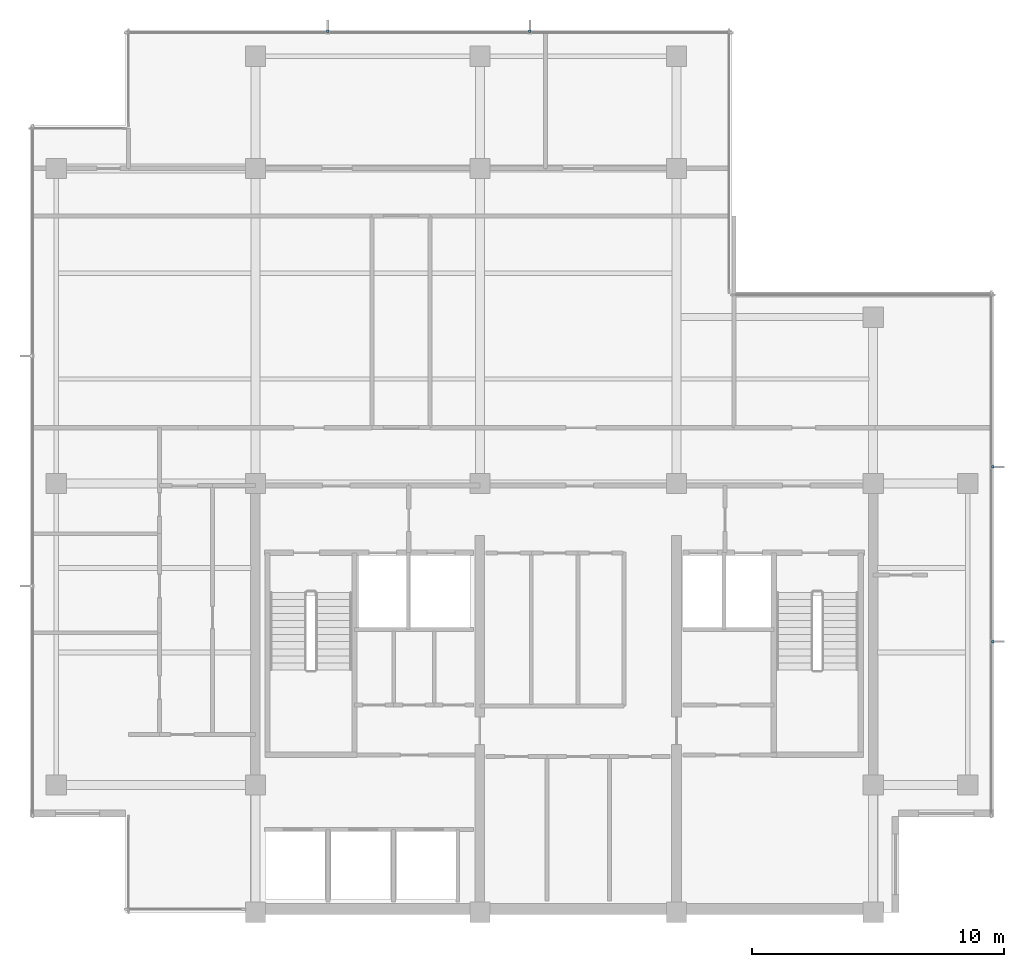
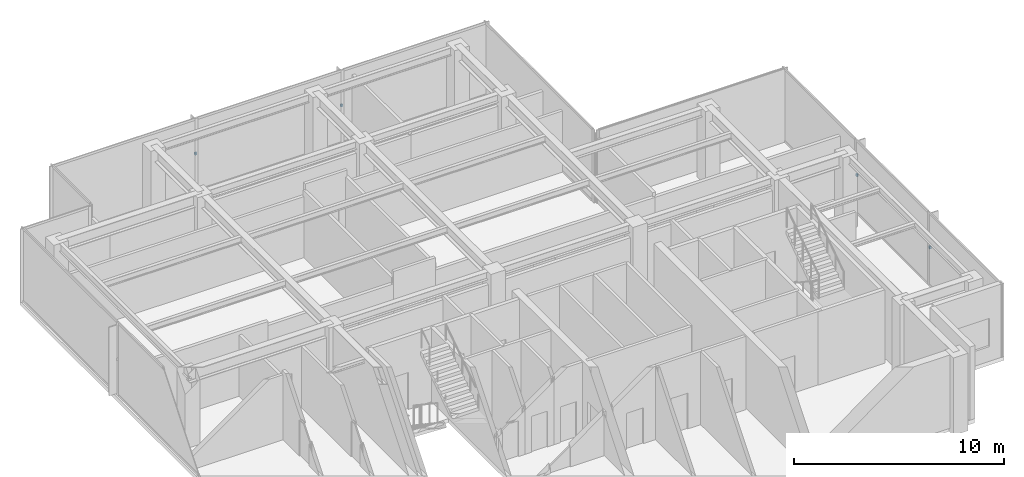
# One storey, part 10 of 11: 4 discrete accessories.
"""IFC4 building model written with IfcOpenShell, lengths in metres."""

import ifcopenshell
import ifcopenshell.guid

model = None  # the IFC model being written
_history = None  # IfcOwnerHistory: only IFC2X3 demands one
_inside = {}  # id of a spatial element -> (the spatial element, [elements in it])
_under = {}  # id of a project, library or spatial element -> (it, [spatial elements below it])
_declared = {}  # id of a project -> (the project, [libraries it declares])
_typed = {}  # id of a type object -> (the type object, [elements of that type])
_made_of = {}  # id of a material, layer set ... -> (it, [elements and type objects made of it])


def new_model(schema):
    """Start an empty IFC model of exactly this schema.

    Asked for "IFC4X3", IfcOpenShell would pick the latest addendum, in which some entities
    have other attributes; the version numbers below select the first issue.
    IFC2X3 requires an IfcOwnerHistory on every rooted entity: one is made here for all.
    """
    global model, _history
    if schema == "IFC4X3":
        model = ifcopenshell.file(schema_version=(4, 3, 0, 0))
    else:
        model = ifcopenshell.file(schema=schema)
    _inside.clear()
    _under.clear()
    _declared.clear()
    _typed.clear()
    _made_of.clear()
    _history = None
    if model.schema == "IFC2X3":
        org = make("IfcOrganization", Name="unknown")
        user = make(
            "IfcPersonAndOrganization",
            ThePerson=make("IfcPerson", FamilyName="unknown"),
            TheOrganization=org,
        )
        app = make(
            "IfcApplication",
            ApplicationDeveloper=org,
            Version="unknown",
            ApplicationFullName="unknown",
            ApplicationIdentifier="unknown",
        )
        _history = make(
            "IfcOwnerHistory",
            OwningUser=user,
            OwningApplication=app,
            ChangeAction="ADDED",
            CreationDate=0,
        )
    return model


def make(cls, **values):
    """One entity of the class cls with the attributes given. An attribute that is None is left unset."""
    return model.create_entity(
        cls, **{name: value for name, value in values.items() if value is not None}
    )


def rooted(cls, **values):
    """An entity with a GlobalId (a new one), such as an element, a storey or a relation."""
    return make(cls, GlobalId=ifcopenshell.guid.new(), OwnerHistory=_history, **values)


def si_unit(unit_type, name, prefix=None):
    """IfcSIUnit, for example si_unit("LENGTHUNIT", "METRE", prefix="MILLI")."""
    return make("IfcSIUnit", UnitType=unit_type, Prefix=prefix, Name=name)


def assignment(units):
    """IfcUnitAssignment: the units of a project."""
    return None if units is None else make("IfcUnitAssignment", Units=units)


def point(xyz):
    """IfcCartesianPoint."""
    return None if xyz is None else make("IfcCartesianPoint", Coordinates=xyz)


def direction(xyz):
    """IfcDirection."""
    return None if xyz is None else make("IfcDirection", DirectionRatios=xyz)


def frame(location, z_axis=None, x_axis=None):
    """IfcAxis2Placement3D, a coordinate frame: its origin and axes. An axis left out is left unset."""
    return make(
        "IfcAxis2Placement3D",
        Location=point(location),
        Axis=direction(z_axis),
        RefDirection=direction(x_axis),
    )


def origin():
    """The frame at (0, 0, 0) with its axes left unset."""
    return frame((0.0, 0.0, 0.0))


def place(relative_to, where):
    """IfcLocalPlacement: puts the frame where relative to a parent placement (None: the world)."""
    return make(
        "IfcLocalPlacement", PlacementRelTo=relative_to, RelativePlacement=where
    )


def context(
    kind, dimensions, precision=None, world=None, true_north=None, identifier=None
):
    """IfcGeometricRepresentationContext, for example the 3D "Model" context."""
    return make(
        "IfcGeometricRepresentationContext",
        ContextIdentifier=identifier,
        ContextType=kind,
        CoordinateSpaceDimension=dimensions,
        Precision=precision,
        WorldCoordinateSystem=world,
        TrueNorth=true_north,
    )


def subcontext(parent, identifier, kind, view, scale=None):
    """IfcGeometricRepresentationSubContext, for example "Body" below "Model"."""
    return make(
        "IfcGeometricRepresentationSubContext",
        ContextIdentifier=identifier,
        ContextType=kind,
        ParentContext=parent,
        TargetScale=scale,
        TargetView=view,
    )


def project(units=None, contexts=None):
    """IfcProject with its units and contexts."""
    return rooted(
        "IfcProject",
        Name="project",
        RepresentationContexts=contexts,
        UnitsInContext=assignment(units),
    )


def spatial(cls, under=None, at=None, **own):
    """A site, building, storey or space (cls), placed at a placement, below another one or the project."""
    s = rooted(cls, ObjectPlacement=at, **own)
    if under is not None:
        _under.setdefault(under.id(), (under, []))[1].append(s)
    return s


def polyline(points):
    """IfcPolyline through the points."""
    return make("IfcPolyline", Points=[point(p) for p in points])


def outline(outer, holes=None, kind="AREA"):
    """IfcArbitraryClosedProfileDef: a profile drawn as a closed curve; with holes, ...WithVoids."""
    if holes is None:
        return make("IfcArbitraryClosedProfileDef", ProfileType=kind, OuterCurve=outer)
    return make(
        "IfcArbitraryProfileDefWithVoids",
        ProfileType=kind,
        OuterCurve=outer,
        InnerCurves=holes,
    )


def extrude(swept, where, along, depth):
    """IfcExtrudedAreaSolid: the profile swept, set in the frame where, extruded along a direction by depth."""
    return make(
        "IfcExtrudedAreaSolid",
        SweptArea=swept,
        Position=where,
        ExtrudedDirection=direction(along),
        Depth=depth,
    )


def shape(context_of_items, identifier, shape_type, items):
    """IfcShapeRepresentation: the items that make up one representation, for example the "Body"."""
    return make(
        "IfcShapeRepresentation",
        ContextOfItems=context_of_items,
        RepresentationIdentifier=identifier,
        RepresentationType=shape_type,
        Items=items,
    )


def material(Name=None, Category=None):
    """IfcMaterial."""
    return make("IfcMaterial", Name=Name, Category=Category)


def made_of(thing, what):
    """Note that an element or type object is made of a material, layer set ...; save() writes the relation."""
    if what is not None:
        _made_of.setdefault(what.id(), (what, []))[1].append(thing)
    return thing


def type_object(cls, material=None, **own):
    """A type object (cls), such as IfcWallType, which elements share."""
    return made_of(rooted(cls, **own), material)


def element(
    cls,
    number,
    at=None,
    inside=None,
    cuts=None,
    type_object=None,
    material=None,
    context=None,
    identifier="Body",
    shape_type=None,
    held_by="IfcProductDefinitionShape",
    body=None,
    shapes=None,
    **own,
):
    """One element of the class cls, such as IfcWall. Its Tag is "e" and its number.

    at: its placement. inside: the storey or other place that contains it. cuts: it is an
    opening in that element (IfcRelVoidsElement). A single representation is given by context,
    identifier, shape_type and body (its items); several are given by shapes. held_by: the class
    of the entity that holds the representations. save() writes the other relations.
    """
    e = rooted(cls, Tag="e%d" % number, ObjectPlacement=at, **own)
    if body is not None:
        shapes = [shape(context, identifier, shape_type, body)]
    if shapes is not None:
        e.Representation = make(held_by, Representations=shapes)
    if inside is not None:
        _inside.setdefault(inside.id(), (inside, []))[1].append(e)
    if cuts is not None:
        rooted(
            "IfcRelVoidsElement", RelatingBuildingElement=cuts, RelatedOpeningElement=e
        )
    if type_object is not None:
        _typed.setdefault(type_object.id(), (type_object, []))[1].append(e)
    return made_of(e, material)


def aggregate(whole, parts):
    """IfcRelAggregates: a whole, such as a stair, and the parts it consists of."""
    return rooted("IfcRelAggregates", RelatingObject=whole, RelatedObjects=parts)


def save(model, path):
    """Write the relations noted so far, then the file.

    IfcRelAggregates (storeys below a building ...), IfcRelContainedInSpatialStructure (elements
    in a storey), IfcRelDefinesByType, IfcRelAssociatesMaterial and IfcRelDeclares: one each for
    every whole, place, type object, material and project.
    """
    for whole, parts in _under.values():
        aggregate(whole, parts)
    for where, things in _inside.values():
        rooted(
            "IfcRelContainedInSpatialStructure",
            RelatedElements=things,
            RelatingStructure=where,
        )
    for kind, things in _typed.values():
        rooted("IfcRelDefinesByType", RelatedObjects=things, RelatingType=kind)
    for what, things in _made_of.values():
        rooted("IfcRelAssociatesMaterial", RelatedObjects=things, RelatingMaterial=what)
    for by, libraries in _declared.values():
        rooted("IfcRelDeclares", RelatingContext=by, RelatedDefinitions=libraries)
    model.write(path)


model = new_model("IFC4")

# Units and contexts
model_context = context("Model", 3, precision=1e-05, world=origin(), true_north=direction((0.0, 1.0)))
body_context = subcontext(model_context, "Body", "Model", "MODEL_VIEW")
ifc_project = project(units=[si_unit("LENGTHUNIT", "METRE"), si_unit("AREAUNIT", "SQUARE_METRE"), si_unit("VOLUMEUNIT", "CUBIC_METRE"), si_unit("PLANEANGLEUNIT", "RADIAN"), si_unit("MASSUNIT", "GRAM", prefix="KILO")], contexts=[model_context])

# Site, building, storey
site_placement = place(None, origin())
site = spatial("IfcSite", under=ifc_project, at=site_placement, CompositionType="ELEMENT")
building_placement = place(site_placement, origin())
building = spatial("IfcBuilding", under=site, at=building_placement, Name="Qalmaran Belvedere Hotel", CompositionType="ELEMENT")
storey_placement = place(building_placement, frame((0.0, 0.0, 285.39990234375)))
storey = spatial("IfcBuildingStorey", under=building, at=storey_placement, Name="L74", CompositionType="ELEMENT", Elevation=285.39990234375)

# Discrete accessories
ifc_material = material(Name="Stainless Steel 1.4401", Category="steel")
discrete_accessory_type = type_object("IfcDiscreteAccessoryType", Name="BRK-FIN-SS316", PredefinedType="BRACKET", material=ifc_material)
discrete_accessory_1_placement = place(storey_placement, frame((0.0, 0.0, 2.080078125)))
element("IfcDiscreteAccessory", 1, at=discrete_accessory_1_placement, inside=storey, type_object=discrete_accessory_type, Name="L74 Fin Bracket 1", PredefinedType="BRACKET", context=body_context, shape_type="SweptSolid", body=[
    extrude(outline(polyline([(49.4951171875, 14.17822265625), (49.58740234375, 14.17822265625), (49.58740234375, 14.288330078125), (49.4951171875, 14.288330078125), (49.4951171875, 14.17822265625)])), origin(), (0.0, 0.0, 1.0), 0.14013671875),
])
discrete_accessory_2_placement = place(storey_placement, frame((0.0, 0.0, 2.080078125)))
element("IfcDiscreteAccessory", 2, at=discrete_accessory_2_placement, inside=storey, type_object=discrete_accessory_type, Name="L74 Fin Bracket 2", PredefinedType="BRACKET", context=body_context, shape_type="SweptSolid", body=[
    extrude(outline(polyline([(49.4951171875, 21.11181640625), (49.58740234375, 21.11181640625), (49.58740234375, 21.2216796875), (49.4951171875, 21.2216796875), (49.4951171875, 21.11181640625)])), origin(), (0.0, 0.0, 1.0), 0.14013671875),
])
discrete_accessory_3_placement = place(storey_placement, frame((0.0, 0.0, 2.080078125)))
element("IfcDiscreteAccessory", 3, at=discrete_accessory_3_placement, inside=storey, type_object=discrete_accessory_type, Name="L74 Fin Bracket 1", PredefinedType="BRACKET", context=body_context, shape_type="SweptSolid", body=[
    extrude(outline(polyline([(31.23828125, 38.39501953125), (31.23828125, 38.487548828125), (31.12841796875, 38.487548828125), (31.12841796875, 38.39501953125), (31.23828125, 38.39501953125)])), origin(), (0.0, 0.0, 1.0), 0.14013671875),
])
discrete_accessory_4_placement = place(storey_placement, frame((0.0, 0.0, 2.080078125)))
element("IfcDiscreteAccessory", 4, at=discrete_accessory_4_placement, inside=storey, type_object=discrete_accessory_type, Name="L74 Fin Bracket 2", PredefinedType="BRACKET", context=body_context, shape_type="SweptSolid", body=[
    extrude(outline(polyline([(23.2216796875, 38.39501953125), (23.2216796875, 38.487548828125), (23.11181640625, 38.487548828125), (23.11181640625, 38.39501953125), (23.2216796875, 38.39501953125)])), origin(), (0.0, 0.0, 1.0), 0.14013671875),
])

save(model, "model.ifc")
